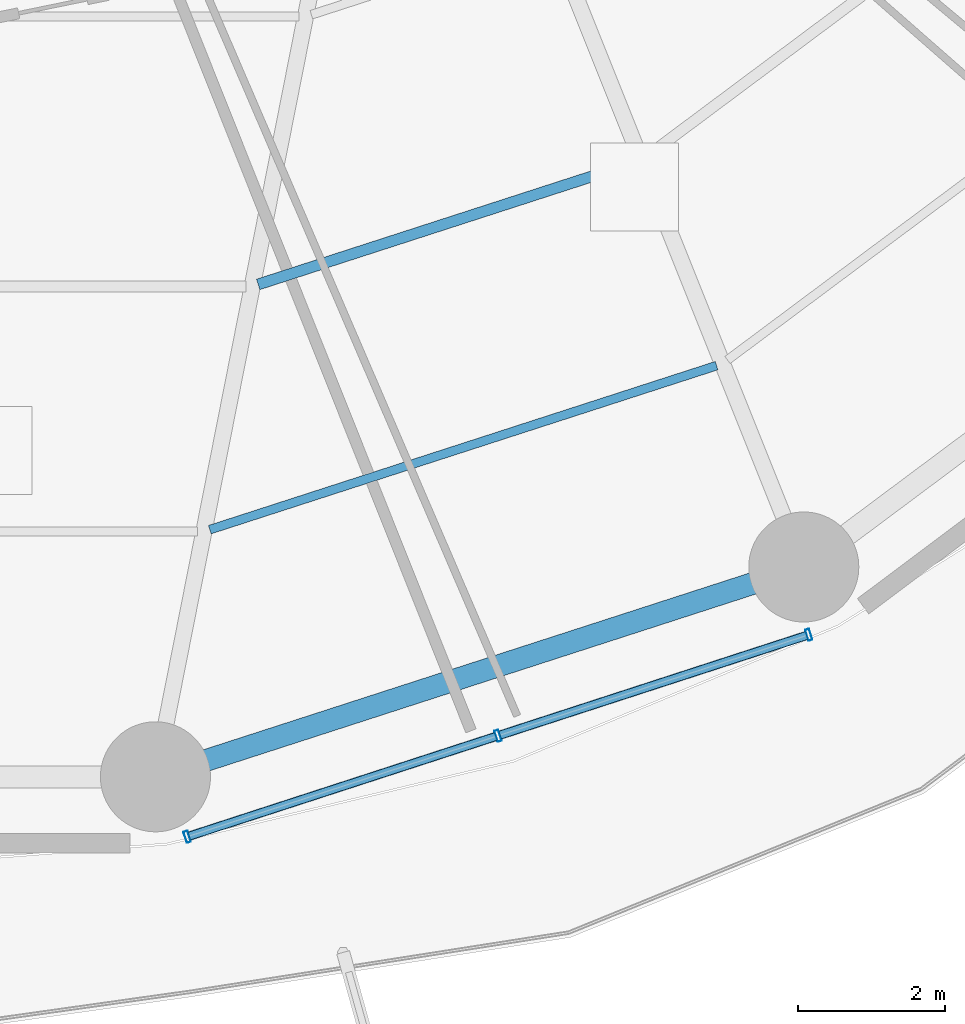
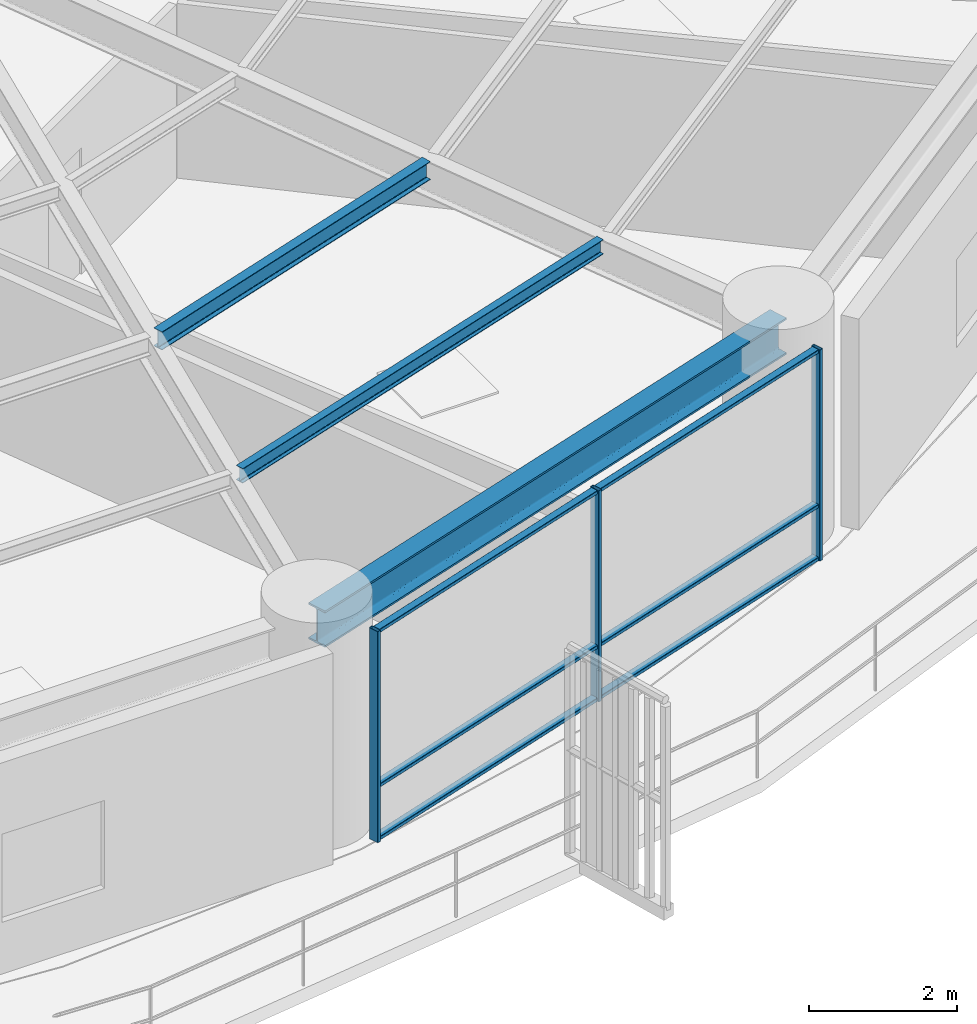
# One storey, part 8 of 33: 9 members, 3 beams, 1 element without a shape of its own.
"""IFC4 building model written with IfcOpenShell, lengths in metres."""

from ifc_helpers import new_model, si_unit, direction, frame, origin, origin_2d, place, context, subcontext, project, spatial, hollow_rectangle, i_section, extrude, material, layer, layer_set, material_profile, profile_set, type_object, element, aggregate, save


model = new_model("IFC4")

# Units and contexts
model_context = context("Model", 3, precision=1e-05, world=origin(), true_north=direction((0.0, 1.0)))
body_context = subcontext(model_context, "Body", "Model", "MODEL_VIEW")
ifc_project = project(units=[si_unit("LENGTHUNIT", "METRE"), si_unit("AREAUNIT", "SQUARE_METRE"), si_unit("VOLUMEUNIT", "CUBIC_METRE"), si_unit("PLANEANGLEUNIT", "RADIAN"), si_unit("MASSUNIT", "GRAM", prefix="KILO")], contexts=[model_context])

# Site, building, storey
site_placement = place(None, origin())
site = spatial("IfcSite", under=ifc_project, at=site_placement, CompositionType="ELEMENT")
building_placement = place(site_placement, origin())
building = spatial("IfcBuilding", under=site, at=building_placement, Name="Kelanora Arch Commons", CompositionType="ELEMENT")
storey_placement = place(building_placement, frame((0.0, 0.0, 45.0)))
storey = spatial("IfcBuildingStorey", under=building, at=storey_placement, Name="L11", CompositionType="ELEMENT", Elevation=45.0)

# Beams
ifc_material_1 = material(Name="Steel S355", Category="steel")
ifc_material_profile_1 = material_profile(ifc_material_1, i_section(OverallWidth=0.14990234375, OverallDepth=0.300048828125, WebThickness=0.007080078125, FlangeThickness=0.0107421875, FilletRadius=0.014892578125, at=origin_2d()), Name="IPE300")
ifc_profile_set_1 = profile_set([ifc_material_profile_1], Name="Steel S355")
beam_type_1 = type_object("IfcBeamType", Name="BM-JST-01", PredefinedType="JOIST", material=ifc_profile_set_1)
beam_1_placement = place(storey_placement, frame((80.102294921875, 40.997802734375, 3.340087890625), z_axis=(0.951412209627, 0.307920131482, 0.0), x_axis=(-0.307920131482, 0.951412209627, 0.0)))
element("IfcBeam", 1, at=beam_1_placement, inside=storey, type_object=beam_type_1, Name="Secondary Chord Joist BJB-28 L11", PredefinedType="JOIST", context=body_context, shape_type="SweptSolid", body=[
    extrude(i_section(OverallWidth=0.14990234375, OverallDepth=0.300048828125, WebThickness=0.007080078125, FlangeThickness=0.0107421875, FilletRadius=0.014892578125, at=origin_2d()), origin(), (0.0, 0.0, 1.0), 5.4033203125),
])
ifc_material_profile_2 = material_profile(ifc_material_1, i_section(OverallWidth=0.1201171875, OverallDepth=0.239990234375, WebThickness=0.006103515625, FlangeThickness=0.009765625, FilletRadius=0.014892578125, at=origin_2d()), Name="IPE240")
ifc_profile_set_2 = profile_set([ifc_material_profile_2], Name="Steel S355")
beam_type_2 = type_object("IfcBeamType", Name="BM-JST-02", PredefinedType="JOIST", material=ifc_profile_set_2)
beam_2_placement = place(storey_placement, frame((79.44287109375, 37.65478515625, 3.3701171875), z_axis=(0.951410915705, 0.307924129418, 0.0), x_axis=(-0.307924129418, 0.951410915705, 0.0)))
element("IfcBeam", 2, at=beam_2_placement, inside=storey, type_object=beam_type_2, Name="Secondary Chord Joist BJC-28 L11", PredefinedType="JOIST", context=body_context, shape_type="SweptSolid", body=[
    extrude(i_section(OverallWidth=0.1201171875, OverallDepth=0.239990234375, WebThickness=0.006103515625, FlangeThickness=0.009765625, FilletRadius=0.014892578125, at=origin_2d()), origin(), (0.0, 0.0, 1.0), 7.260986328125),
])
ifc_material_profile_3 = material_profile(ifc_material_1, i_section(OverallWidth=0.300048828125, OverallDepth=0.60009765625, WebThickness=0.015380859375, FlangeThickness=0.030029296875, FilletRadius=0.027099609375, at=origin_2d()), Name="HEB600")
ifc_profile_set_3 = profile_set([ifc_material_profile_3], Name="Steel S355")
beam_type_3 = type_object("IfcBeamType", Name="BM-SPN-Z1", PredefinedType="SPANDREL", material=ifc_profile_set_3)
beam_3_placement = place(storey_placement, frame((78.702392578125, 34.285888671875, 3.18994140625), z_axis=(0.951417120402, 0.307904957748, 0.0), x_axis=(-0.307904957748, 0.951417120402, 0.0)))
element("IfcBeam", 3, at=beam_3_placement, inside=storey, type_object=beam_type_3, Name="Perimeter Spandrel Beam BS-28 L11", PredefinedType="SPANDREL", context=body_context, shape_type="SweptSolid", body=[
    extrude(i_section(OverallWidth=0.300048828125, OverallDepth=0.60009765625, WebThickness=0.015380859375, FlangeThickness=0.030029296875, FilletRadius=0.027099609375, at=origin_2d()), origin(), (0.0, 0.0, 1.0), 9.288818359375),
])

# Curtain wall, members
ifc_material_2 = material(Name="Terracotta ceramic-fritted low-E glass and aluminium", Category="masonry")
ifc_layer = layer(ifc_material_2, 0.159912109375)
ifc_layer_set = layer_set([ifc_layer], Name="Terracotta ceramic-fritted low-E glass and aluminium")
curtain_wall_type = type_object("IfcCurtainWallType", Name="CW-SYS-01", PredefinedType="NOTDEFINED", material=ifc_layer_set)
curtain_wall_placement = place(storey_placement, origin())
curtain_wall = element("IfcCurtainWall", 4, at=curtain_wall_placement, inside=storey, type_object=curtain_wall_type, Name="Unitised Curtain Wall L11-B14", PredefinedType="NOTDEFINED")
ifc_material_3 = material(Name="Powder-coated aluminium terracotta", Category="masonry")
ifc_material_profile_4 = material_profile(ifc_material_3, hollow_rectangle(XDim=0.159912109375, YDim=0.06005859375, WallThickness=0.0048828125, InnerFilletRadius=0.0048828125, OuterFilletRadius=0.010009765625, at=origin_2d()), Name="CWM160x60")
ifc_profile_set_4 = profile_set([ifc_material_profile_4], Name="Powder-coated aluminium terracotta")
member_type_1 = type_object("IfcMemberType", Name="CWM-STD", PredefinedType="MULLION", material=ifc_profile_set_4)
member_1_placement = place(storey_placement, frame((79.134521484375, 33.46826171875, 0.0), z_axis=(0.0, 0.0, 1.0), x_axis=(-0.30905758454, 0.951043326793, 0.0)))
member_1 = element("IfcMember", 5, at=member_1_placement, type_object=member_type_1, Name="CW-01 mullion 1", PredefinedType="MULLION", context=body_context, shape_type="SweptSolid", body=[
    extrude(hollow_rectangle(XDim=0.159912109375, YDim=0.06005859375, WallThickness=0.0048828125, InnerFilletRadius=0.0048828125, OuterFilletRadius=0.010009765625, at=origin_2d()), origin(), (0.0, 0.0, 1.0), 3.47509765625),
])
member_2_placement = place(storey_placement, frame((83.37109375, 34.84521484375, 0.0), z_axis=(0.0, 0.0, 1.0), x_axis=(-0.30905758454, 0.951043326793, 0.0)))
member_2 = element("IfcMember", 6, at=member_2_placement, type_object=member_type_1, Name="CW-01 mullion 2", PredefinedType="MULLION", context=body_context, shape_type="SweptSolid", body=[
    extrude(hollow_rectangle(XDim=0.159912109375, YDim=0.06005859375, WallThickness=0.0048828125, InnerFilletRadius=0.0048828125, OuterFilletRadius=0.010009765625, at=origin_2d()), origin(), (0.0, 0.0, 1.0), 3.47509765625),
])
member_3_placement = place(storey_placement, frame((87.607666015625, 36.221923828125, 0.0), z_axis=(0.0, 0.0, 1.0), x_axis=(-0.30905758454, 0.951043326793, 0.0)))
member_3 = element("IfcMember", 7, at=member_3_placement, type_object=member_type_1, Name="CW-01 mullion 3", PredefinedType="MULLION", context=body_context, shape_type="SweptSolid", body=[
    extrude(hollow_rectangle(XDim=0.159912109375, YDim=0.06005859375, WallThickness=0.0048828125, InnerFilletRadius=0.0048828125, OuterFilletRadius=0.010009765625, at=origin_2d()), origin(), (0.0, 0.0, 1.0), 3.47509765625),
])
ifc_material_profile_5 = material_profile(ifc_material_3, hollow_rectangle(XDim=0.1201171875, YDim=0.06005859375, WallThickness=0.0048828125, InnerFilletRadius=0.0048828125, OuterFilletRadius=0.010009765625, at=origin_2d()), Name="CWT120x60")
ifc_profile_set_5 = profile_set([ifc_material_profile_5], Name="Powder-coated aluminium terracotta")
member_type_2 = type_object("IfcMemberType", Name="CWT-STD", PredefinedType="USERDEFINED", material=ifc_profile_set_5)
member_4_placement = place(storey_placement, frame((79.1630859375, 33.4775390625, 0.030029296875), z_axis=(0.951028761285, 0.309102402464, 0.0), x_axis=(-0.309102402464, 0.951028761285, 0.0)))
member_4 = element("IfcMember", 8, at=member_4_placement, type_object=member_type_2, Name="CW-01 transom 1.1", ObjectType="TRANSOM", PredefinedType="USERDEFINED", context=body_context, shape_type="SweptSolid", body=[
    extrude(hollow_rectangle(XDim=0.1201171875, YDim=0.06005859375, WallThickness=0.0048828125, InnerFilletRadius=0.0048828125, OuterFilletRadius=0.010009765625, at=origin_2d()), origin(), (0.0, 0.0, 1.0), 4.394775390625),
])
member_5_placement = place(storey_placement, frame((79.1630859375, 33.4775390625, 0.89990234375), z_axis=(0.951028761285, 0.309102402464, 0.0), x_axis=(-0.309102402464, 0.951028761285, 0.0)))
member_5 = element("IfcMember", 9, at=member_5_placement, type_object=member_type_2, Name="CW-01 transom 1.2", ObjectType="TRANSOM", PredefinedType="USERDEFINED", context=body_context, shape_type="SweptSolid", body=[
    extrude(hollow_rectangle(XDim=0.1201171875, YDim=0.06005859375, WallThickness=0.0048828125, InnerFilletRadius=0.0048828125, OuterFilletRadius=0.010009765625, at=origin_2d()), origin(), (0.0, 0.0, 1.0), 4.394775390625),
])
member_6_placement = place(storey_placement, frame((79.1630859375, 33.4775390625, 3.445068359375), z_axis=(0.951028761285, 0.309102402464, 0.0), x_axis=(-0.309102402464, 0.951028761285, 0.0)))
member_6 = element("IfcMember", 10, at=member_6_placement, type_object=member_type_2, Name="CW-01 transom 1.3", ObjectType="TRANSOM", PredefinedType="USERDEFINED", context=body_context, shape_type="SweptSolid", body=[
    extrude(hollow_rectangle(XDim=0.1201171875, YDim=0.06005859375, WallThickness=0.0048828125, InnerFilletRadius=0.0048828125, OuterFilletRadius=0.010009765625, at=origin_2d()), origin(), (0.0, 0.0, 1.0), 4.394775390625),
])
member_7_placement = place(storey_placement, frame((83.399658203125, 34.8544921875, 0.030029296875), z_axis=(0.951045091182, 0.309052155047, 0.0), x_axis=(-0.309052155047, 0.951045091182, 0.0)))
member_7 = element("IfcMember", 11, at=member_7_placement, type_object=member_type_2, Name="CW-01 transom 2.1", ObjectType="TRANSOM", PredefinedType="USERDEFINED", context=body_context, shape_type="SweptSolid", body=[
    extrude(hollow_rectangle(XDim=0.1201171875, YDim=0.06005859375, WallThickness=0.0048828125, InnerFilletRadius=0.0048828125, OuterFilletRadius=0.010009765625, at=origin_2d()), origin(), (0.0, 0.0, 1.0), 4.39453125),
])
member_8_placement = place(storey_placement, frame((83.399658203125, 34.8544921875, 0.89990234375), z_axis=(0.951045091182, 0.309052155047, 0.0), x_axis=(-0.309052155047, 0.951045091182, 0.0)))
member_8 = element("IfcMember", 12, at=member_8_placement, type_object=member_type_2, Name="CW-01 transom 2.2", ObjectType="TRANSOM", PredefinedType="USERDEFINED", context=body_context, shape_type="SweptSolid", body=[
    extrude(hollow_rectangle(XDim=0.1201171875, YDim=0.06005859375, WallThickness=0.0048828125, InnerFilletRadius=0.0048828125, OuterFilletRadius=0.010009765625, at=origin_2d()), origin(), (0.0, 0.0, 1.0), 4.39453125),
])
member_9_placement = place(storey_placement, frame((83.399658203125, 34.8544921875, 3.445068359375), z_axis=(0.951045091182, 0.309052155047, 0.0), x_axis=(-0.309052155047, 0.951045091182, 0.0)))
member_9 = element("IfcMember", 13, at=member_9_placement, type_object=member_type_2, Name="CW-01 transom 2.3", ObjectType="TRANSOM", PredefinedType="USERDEFINED", context=body_context, shape_type="SweptSolid", body=[
    extrude(hollow_rectangle(XDim=0.1201171875, YDim=0.06005859375, WallThickness=0.0048828125, InnerFilletRadius=0.0048828125, OuterFilletRadius=0.010009765625, at=origin_2d()), origin(), (0.0, 0.0, 1.0), 4.39453125),
])
aggregate(curtain_wall, [member_1, member_2, member_3, member_4, member_5, member_6, member_7, member_8, member_9])

save(model, "model.ifc")
